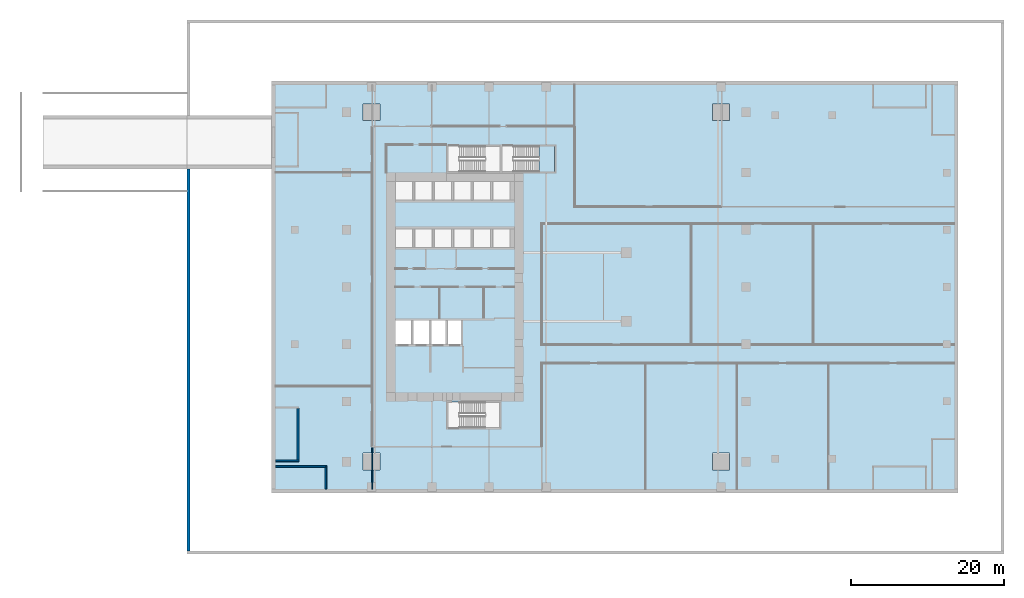
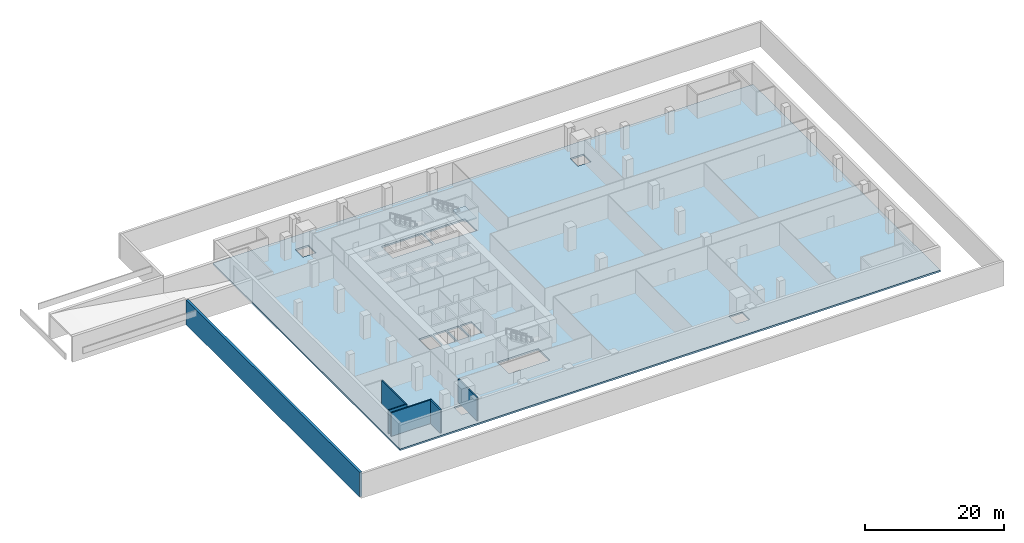
# One storey, part 2 of 11: 6 walls, 2 slabs, 1 element without a shape of its own.
"""IFC4 building model written with IfcOpenShell, lengths in metres."""

from ifc_helpers import new_model, si_unit, direction, frame, frame_2d, origin, place, context, subcontext, project, spatial, polyline, rectangle, outline, extrude, source, transform, mapped, material, layer, layer_set, type_object, element, aggregate, save


model = new_model("IFC4")

# Units and contexts
model_context = context("Model", 3, precision=1e-05, world=origin(), true_north=direction((0.0, 1.0)))
body_context = subcontext(model_context, "Body", "Model", "MODEL_VIEW")
ifc_project = project(units=[si_unit("LENGTHUNIT", "METRE"), si_unit("AREAUNIT", "SQUARE_METRE"), si_unit("VOLUMEUNIT", "CUBIC_METRE"), si_unit("PLANEANGLEUNIT", "RADIAN"), si_unit("MASSUNIT", "GRAM", prefix="KILO")], contexts=[model_context])

# Site, building, storey
site_placement = place(None, origin())
site = spatial("IfcSite", under=ifc_project, at=site_placement, CompositionType="ELEMENT")
building_placement = place(site_placement, origin())
building = spatial("IfcBuilding", under=site, at=building_placement, Name="Khomas Fold Tower", CompositionType="ELEMENT")
storey_placement = place(building_placement, frame((0.0, 0.0, -4.5)))
storey = spatial("IfcBuildingStorey", under=building, at=storey_placement, Name="B1", CompositionType="ELEMENT", Elevation=-4.5)

# Slab
ifc_material_1 = material(Name="Concrete C40/50", Category="concrete")
ifc_layer_1 = layer(ifc_material_1, 0.300048828125)
ifc_layer_set_1 = layer_set([ifc_layer_1], Name="Concrete C40/50")
slab_type_1 = type_object("IfcSlabType", Name="RC floor slab 300", PredefinedType="FLOOR", material=ifc_layer_set_1)
shared_shape_1 = source(origin(), body_context, "Body", "SweptSolid", [
    extrude(outline(polyline([(-9.0, 0.0), (81.0, 0.0), (81.0, 54.0), (-9.0, 54.0), (-9.0, 0.0)]), holes=[polyline([(2.9951171875, 2.9951171875), (2.9951171875, 5.205078125), (5.205078125, 5.205078125), (5.205078125, 2.9951171875), (2.9951171875, 2.9951171875)]), polyline([(2.9951171875, 48.794921875), (2.9951171875, 51.0048828125), (5.205078125, 51.0048828125), (5.205078125, 48.794921875), (2.9951171875, 48.794921875)]), polyline([(7.199951171875, 19.5), (7.199951171875, 22.60009765625), (9.300048828125, 22.60009765625), (9.300048828125, 19.5), (7.199951171875, 19.5)]), polyline([(9.550048828125, 19.5), (9.550048828125, 22.60009765625), (11.64990234375, 22.60009765625), (11.64990234375, 19.5), (9.550048828125, 19.5)]), polyline([(11.89990234375, 19.5), (11.89990234375, 22.60009765625), (13.800048828125, 22.60009765625), (13.800048828125, 19.5), (11.89990234375, 19.5)]), polyline([(14.050048828125, 19.5), (14.050048828125, 22.60009765625), (15.949951171875, 22.60009765625), (15.949951171875, 19.5), (14.050048828125, 19.5)]), polyline([(14.10009765625, 8.550048828125), (14.10009765625, 11.89990234375), (20.89990234375, 11.89990234375), (20.89990234375, 8.550048828125), (14.10009765625, 8.550048828125)]), polyline([(14.10009765625, 42.10009765625), (14.10009765625, 45.449951171875), (20.89990234375, 45.449951171875), (20.89990234375, 42.10009765625), (14.10009765625, 42.10009765625)]), polyline([(21.199951171875, 42.10009765625), (21.199951171875, 45.449951171875), (28.10009765625, 45.449951171875), (28.10009765625, 42.10009765625), (21.199951171875, 42.10009765625)]), polyline([(48.794921875, 2.9951171875), (48.794921875, 5.205078125), (51.0048828125, 5.205078125), (51.0048828125, 2.9951171875), (48.794921875, 2.9951171875)]), polyline([(48.794921875, 48.794921875), (48.794921875, 51.0048828125), (51.0048828125, 51.0048828125), (51.0048828125, 48.794921875), (48.794921875, 48.794921875)])]), origin(), (0.0, 0.0, 1.0), 0.300048828125),
])
slab_1_placement = place(storey_placement, frame((0.0, 0.0, -0.300048828125)))
element("IfcSlab", 1, at=slab_1_placement, inside=storey, type_object=slab_type_1, Name="S-B1", PredefinedType="FLOOR", context=body_context, shape_type="MappedRepresentation", body=[
    mapped(shared_shape_1, transform((0.0, 0.0, 0.0))),
])

# Stair, slab
ifc_material_2 = material(Name="Concrete C40/50", Category="concrete")
stair_type = type_object("IfcStairType", Name="Stair ST3", PredefinedType="HALF_TURN_STAIR", material=ifc_material_2)
stair_placement = place(storey_placement, origin())
stair = element("IfcStair", 2, at=stair_placement, inside=storey, type_object=stair_type, Name="B1 ST3", PredefinedType="HALF_TURN_STAIR")
ifc_material_3 = material(Name="Concrete C40/50", Category="concrete")
ifc_layer_2 = layer(ifc_material_3, 0.199951171875)
ifc_layer_set_2 = layer_set([ifc_layer_2], Name="Concrete C40/50")
slab_type_2 = type_object("IfcSlabType", Name="Stair landing 200", PredefinedType="LANDING", material=ifc_layer_set_2)
shared_shape_2 = source(origin(), body_context, "Body", "SweptSolid", [
    extrude(outline(polyline([(26.06005859375, 42.10009765625), (28.10009765625, 42.10009765625), (28.10009765625, 45.449951171875), (26.06005859375, 45.449951171875), (26.06005859375, 42.10009765625)])), origin(), (0.0, 0.0, 1.0), 0.199951171875),
])
slab_2_placement = place(storey_placement, frame((0.0, 0.0, 2.050048828125)))
slab_2 = element("IfcSlab", 3, at=slab_2_placement, type_object=slab_type_2, Name="ST3 landing 1", PredefinedType="LANDING", context=body_context, shape_type="MappedRepresentation", body=[
    mapped(shared_shape_2, transform((0.0, 0.0, 0.0))),
])
aggregate(stair, [slab_2])

# Walls
ifc_material_4 = material(Name="Concrete C40/50", Category="concrete")
ifc_layer_3 = layer(ifc_material_4, 0.39990234375)
ifc_layer_set_3 = layer_set([ifc_layer_3], Name="Concrete C40/50")
wall_type_1 = type_object("IfcWallType", Name="Plaza retaining wall 400", PredefinedType="SOLIDWALL", material=ifc_layer_set_3)
shared_shape_3 = source(origin(), body_context, "Body", "SweptSolid", [
    extrude(rectangle(XDim=50.10009765625, YDim=0.39990234375, at=frame_2d((25.050048828125, 0.0))), origin(), (0.0, 0.0, 1.0), 4.35009765625),
])
wall_1_placement = place(storey_placement, frame((-19.898193359375, -7.60009765625, 0.0), z_axis=(0.0, 0.0, 1.0), x_axis=(0.0, 1.0, 0.0)))
element("IfcWall", 4, at=wall_1_placement, inside=storey, type_object=wall_type_1, Name="Plaza retaining wall", PredefinedType="SOLIDWALL", context=body_context, shape_type="MappedRepresentation", body=[
    mapped(shared_shape_3, transform((0.0, 0.0, 0.0))),
])
ifc_material_5 = material(Name="Plasterboard fire partition")
ifc_layer_4 = layer(ifc_material_5, 0.14990234375)
ifc_layer_set_4 = layer_set([ifc_layer_4], Name="Plasterboard fire partition")
wall_type_2 = type_object("IfcWallType", Name="Plant room wall PW3 150", PredefinedType="PARTITIONING", material=ifc_layer_set_4)
shared_shape_4 = source(origin(), body_context, "Body", "SweptSolid", [
    extrude(rectangle(XDim=5.449951171875, YDim=0.14990234375, at=frame_2d((2.72509765625, 0.0))), origin(), (0.0, 0.0, 1.0), 4.14990234375),
])
wall_2_placement = place(storey_placement, frame((4.199951171875, 0.5, 0.0), z_axis=(0.0, 0.0, 1.0), x_axis=(0.0, 1.0, 0.0)))
element("IfcWall", 5, at=wall_2_placement, inside=storey, type_object=wall_type_2, Name="Plant room wall", PredefinedType="PARTITIONING", context=body_context, shape_type="MappedRepresentation", body=[
    mapped(shared_shape_4, transform((0.0, 0.0, 0.0))),
])
ifc_material_6 = material(Name="Concrete C30/37", Category="concrete")
ifc_layer_5 = layer(ifc_material_6, 0.199951171875)
ifc_layer_set_5 = layer_set([ifc_layer_5], Name="Concrete C30/37")
wall_type_3 = type_object("IfcWallType", Name="Stair wall PW5 200", PredefinedType="PARTITIONING", material=ifc_layer_set_5)
shared_shape_5 = source(origin(), body_context, "Body", "SweptSolid", [
    extrude(rectangle(XDim=6.699951171875, YDim=0.199951171875, at=frame_2d((3.35009765625, 0.0))), origin(), (0.0, 0.0, 1.0), 4.14990234375),
])
wall_3_placement = place(storey_placement, frame((-8.5, 3.449951171875, 0.0), z_axis=(0.0, 0.0, 1.0), x_axis=(1.0, 0.0, 0.0)))
element("IfcWall", 6, at=wall_3_placement, inside=storey, type_object=wall_type_3, Name="Stair wall", PredefinedType="PARTITIONING", context=body_context, shape_type="MappedRepresentation", body=[
    mapped(shared_shape_5, transform((0.0, 0.0, 0.0))),
])
shared_shape_6 = source(origin(), body_context, "Body", "SweptSolid", [
    extrude(rectangle(XDim=2.85009765625, YDim=0.199951171875, at=frame_2d((1.425048828125, 0.0))), origin(), (0.0, 0.0, 1.0), 4.14990234375),
])
wall_4_placement = place(storey_placement, frame((-1.89990234375, 0.5, 0.0), z_axis=(0.0, 0.0, 1.0), x_axis=(0.0, 1.0, 0.0)))
element("IfcWall", 7, at=wall_4_placement, inside=storey, type_object=wall_type_3, Name="Stair wall", PredefinedType="PARTITIONING", context=body_context, shape_type="MappedRepresentation", body=[
    mapped(shared_shape_6, transform((0.0, 0.0, 0.0))),
])
shared_shape_7 = source(origin(), body_context, "Body", "SweptSolid", [
    extrude(rectangle(XDim=3.050048828125, YDim=0.199951171875, at=frame_2d((1.52490234375, 0.0))), origin(), (0.0, 0.0, 1.0), 4.14990234375),
])
wall_5_placement = place(storey_placement, frame((-8.5, 4.199951171875, 0.0), z_axis=(0.0, 0.0, 1.0), x_axis=(1.0, 0.0, 0.0)))
element("IfcWall", 8, at=wall_5_placement, inside=storey, type_object=wall_type_3, Name="Stair wall", PredefinedType="PARTITIONING", context=body_context, shape_type="MappedRepresentation", body=[
    mapped(shared_shape_7, transform((0.0, 0.0, 0.0))),
])
shared_shape_8 = source(origin(), body_context, "Body", "SweptSolid", [
    extrude(rectangle(XDim=6.800048828125, YDim=0.199951171875, at=frame_2d((3.39990234375, 0.0))), origin(), (0.0, 0.0, 1.0), 4.14990234375),
])
wall_6_placement = place(storey_placement, frame((-5.550048828125, 4.300048828125, 0.0), z_axis=(0.0, 0.0, 1.0), x_axis=(0.0, 1.0, 0.0)))
element("IfcWall", 9, at=wall_6_placement, inside=storey, type_object=wall_type_3, Name="Stair wall", PredefinedType="PARTITIONING", context=body_context, shape_type="MappedRepresentation", body=[
    mapped(shared_shape_8, transform((0.0, 0.0, 0.0))),
])

save(model, "model.ifc")
